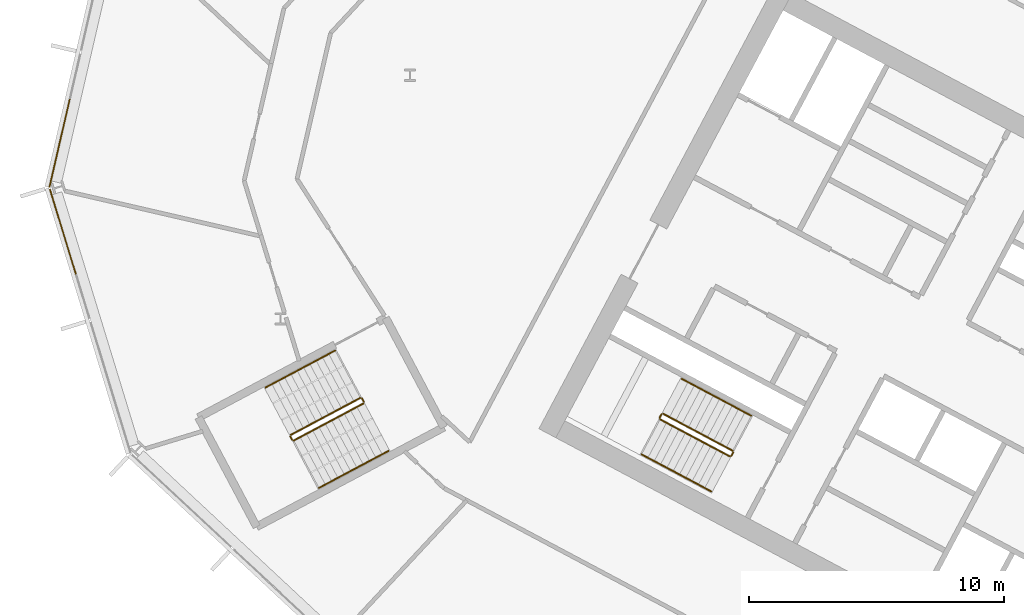
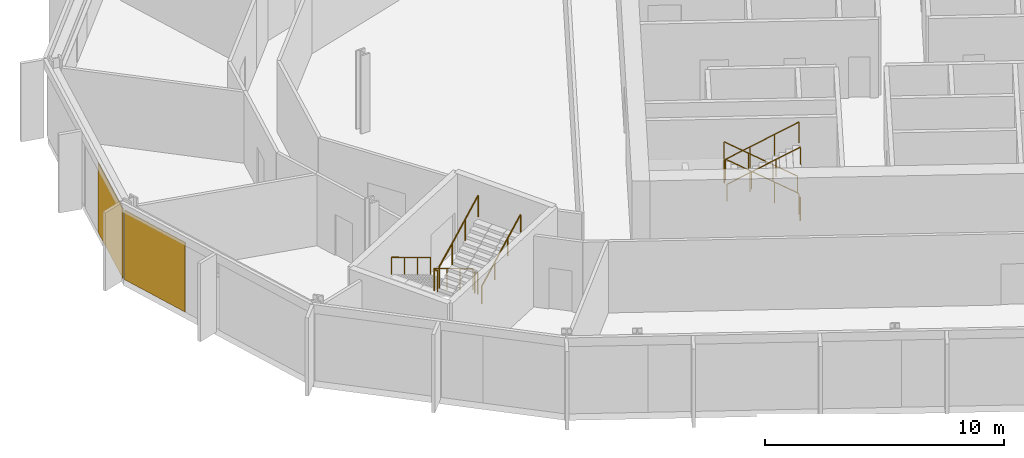
# One storey, part 21 of 28: 12 railings, 2 coverings, 2 elements without a shape of their own.
"""IFC4 building model written with IfcOpenShell, lengths in metres."""

from ifc_helpers import new_model, si_unit, direction, frame, origin, origin_2d, place, context, subcontext, project, spatial, polyline, rectangle, outline, extrude, material, layer, layer_set, type_object, element, aggregate, save


model = new_model("IFC4")

# Units and contexts
model_context = context("Model", 3, precision=1e-05, world=origin(), true_north=direction((0.0, 1.0)))
body_context = subcontext(model_context, "Body", "Model", "MODEL_VIEW")
ifc_project = project(units=[si_unit("LENGTHUNIT", "METRE"), si_unit("AREAUNIT", "SQUARE_METRE"), si_unit("VOLUMEUNIT", "CUBIC_METRE"), si_unit("PLANEANGLEUNIT", "RADIAN"), si_unit("MASSUNIT", "GRAM", prefix="KILO")], contexts=[model_context])

# Site, building, storey
site_placement = place(None, origin())
site = spatial("IfcSite", under=ifc_project, at=site_placement, CompositionType="ELEMENT")
building_placement = place(site_placement, origin())
building = spatial("IfcBuilding", under=site, at=building_placement, Name="Cormorant Relay Tower", CompositionType="ELEMENT")
storey_placement = place(building_placement, frame((0.0, 0.0, 166.199951171875)))
storey = spatial("IfcBuildingStorey", under=building, at=storey_placement, Name="L35", CompositionType="ELEMENT", Elevation=166.199951171875)

# Curtain wall, covering
ifc_material_1 = material(Name="Aluminium 6063-T6 anodised bronze", Category="aluminium")
ifc_layer_1 = layer(ifc_material_1, 0.199951171875)
ifc_layer_set_1 = layer_set([ifc_layer_1], Name="CW1 unitised bronze curtain wall with vertical fins")
curtain_wall_type = type_object("IfcCurtainWallType", Name="CW1 unitised bronze curtain wall with vertical fins", PredefinedType="NOTDEFINED", material=ifc_layer_set_1)
curtain_wall_1_placement = place(storey_placement, origin())
curtain_wall_1 = element("IfcCurtainWall", 1, at=curtain_wall_1_placement, inside=storey, type_object=curtain_wall_type, Name="CW1 curtain wall 13", PredefinedType="NOTDEFINED")
ifc_material_2 = material(Name="Pale bronze anodised aluminium insulated panel", Category="aluminium")
ifc_layer_2 = layer(ifc_material_2, 0.0400390625)
ifc_layer_set_2 = layer_set([ifc_layer_2], Name="CW1 pale bronze insulated panel 40")
covering_type = type_object("IfcCoveringType", Name="CW1 pale bronze insulated panel 40", PredefinedType="CLADDING", material=ifc_layer_set_2)
covering_1_placement = place(storey_placement, frame((-60.3388671875, 22.13232421875, 0.0), z_axis=(0.0, 0.0, 1.0), x_axis=(-0.224951054344, -0.974370064785, 0.0)))
covering_1 = element("IfcCovering", 2, at=covering_1_placement, type_object=covering_type, Name="CW1 panel S02", PredefinedType="CLADDING", context=body_context, shape_type="SweptSolid", body=[
    extrude(rectangle(XDim=3.560302734375, YDim=0.0400390625, at=origin_2d()), origin(), (0.0, 0.0, 1.0), 3.550048828125),
])
aggregate(curtain_wall_1, [covering_1])

curtain_wall_2_placement = place(storey_placement, origin())
curtain_wall_2 = element("IfcCurtainWall", 3, at=curtain_wall_2_placement, inside=storey, type_object=curtain_wall_type, Name="CW1 curtain wall 14", PredefinedType="NOTDEFINED")
covering_2_placement = place(storey_placement, frame((-60.20751953125, 18.6494140625, 0.0), z_axis=(0.0, 0.0, 1.0), x_axis=(0.292371704723, -0.956304755963, 0.0)))
covering_2 = element("IfcCovering", 4, at=covering_2_placement, type_object=covering_type, Name="CW1 panel S00", PredefinedType="CLADDING", context=body_context, shape_type="SweptSolid", body=[
    extrude(rectangle(XDim=3.485107421875, YDim=0.0400390625, at=origin_2d()), origin(), (0.0, 0.0, 1.0), 3.550048828125),
])
aggregate(curtain_wall_2, [covering_2])

# Railings
ifc_material_3 = material(Name="Steel ASTM A572 Grade 50 (Fy 345 MPa)", Category="steel")
railing_type_1 = type_object("IfcRailingType", Name="Stair guard 1100", PredefinedType="GUARDRAIL", material=ifc_material_3)
railing_1_placement = place(storey_placement, frame((-33.9921875, 10.08935546875, 0.166748046875)))
element("IfcRailing", 5, at=railing_1_placement, inside=storey, type_object=railing_type_1, Name="L35 A2 stair guard 1", PredefinedType="GUARDRAIL", context=body_context, shape_type="SweptSolid", body=[
    extrude(outline(polyline([(0.022216796875, 0.00927734375), (0.00927734375, 0.022216796875), (-0.00927734375, 0.022216796875), (-0.022216796875, 0.00927734375), (-0.022216796875, -0.00927734375), (-0.00927734375, -0.022216796875), (0.00927734375, -0.022216796875), (0.022216796875, -0.00927734375), (0.022216796875, 0.00927734375)])), frame((0.0, 0.0, 1.076171875), z_axis=(-0.758713656843, 0.403434867536, 0.511462505542), x_axis=(-0.469489399267, -0.882938108802, 0.0)), (0.0, 0.0, 1.0), 3.584228515625),
    extrude(outline(polyline([(0.019287109375, 0.008056640625), (0.008056640625, 0.019287109375), (-0.008056640625, 0.019287109375), (-0.019287109375, 0.008056640625), (-0.019287109375, -0.008056640625), (-0.008056640625, -0.019287109375), (0.008056640625, -0.019287109375), (0.019287109375, -0.008056640625), (0.019287109375, 0.008056640625)])), origin(), (0.0, 0.0, 1.0), 1.052001953125),
    extrude(outline(polyline([(0.019287109375, 0.008056640625), (0.008056640625, 0.019287109375), (-0.008056640625, 0.019287109375), (-0.019287109375, 0.008056640625), (-0.019287109375, -0.008056640625), (-0.008056640625, -0.019287109375), (0.008056640625, -0.019287109375), (0.019287109375, -0.008056640625), (0.019287109375, 0.008056640625)])), frame((-0.906494140625, 0.48193359375, 0.611083984375)), (0.0, 0.0, 1.0), 1.052001953125),
    extrude(outline(polyline([(0.019287109375, 0.008056640625), (0.008056640625, 0.019287109375), (-0.008056640625, 0.019287109375), (-0.019287109375, 0.008056640625), (-0.019287109375, -0.008056640625), (-0.008056640625, -0.019287109375), (0.008056640625, -0.019287109375), (0.019287109375, -0.008056640625), (0.019287109375, 0.008056640625)])), frame((-1.81298828125, 0.964111328125, 1.22216796875)), (0.0, 0.0, 1.0), 1.052001953125),
    extrude(outline(polyline([(0.019287109375, 0.008056640625), (0.008056640625, 0.019287109375), (-0.008056640625, 0.019287109375), (-0.019287109375, 0.008056640625), (-0.019287109375, -0.008056640625), (-0.008056640625, -0.019287109375), (0.008056640625, -0.019287109375), (0.019287109375, -0.008056640625), (0.019287109375, 0.008056640625)])), frame((-2.719482421875, 1.446044921875, 1.833251953125)), (0.0, 0.0, 1.0), 1.052001953125),
])
railing_2_placement = place(storey_placement, frame((-36.779296875, 11.5146484375, 2.0)))
element("IfcRailing", 6, at=railing_2_placement, inside=storey, type_object=railing_type_1, Name="L35 A2 stair guard 2", PredefinedType="GUARDRAIL", context=body_context, shape_type="SweptSolid", body=[
    extrude(outline(polyline([(0.022216796875, 0.00927734375), (0.00927734375, 0.022216796875), (-0.00927734375, 0.022216796875), (-0.022216796875, 0.00927734375), (-0.022216796875, -0.00927734375), (-0.00927734375, -0.022216796875), (0.00927734375, -0.022216796875), (0.022216796875, -0.00927734375), (0.022216796875, 0.00927734375)])), frame((0.0, 0.0, 1.076171875), z_axis=(-0.469234640946, -0.883073525669, 0.0), x_axis=(0.883073525669, -0.469234640946, 0.0)), (0.0, 0.0, 1.0), 0.14990234375),
    extrude(outline(polyline([(0.019287109375, 0.008056640625), (0.008056640625, 0.019287109375), (-0.008056640625, 0.019287109375), (-0.019287109375, 0.008056640625), (-0.019287109375, -0.008056640625), (-0.008056640625, -0.019287109375), (0.008056640625, -0.019287109375), (0.019287109375, -0.008056640625), (0.019287109375, 0.008056640625)])), origin(), (0.0, 0.0, 1.0), 1.052001953125),
    extrude(outline(polyline([(0.019287109375, 0.008056640625), (0.008056640625, 0.019287109375), (-0.008056640625, 0.019287109375), (-0.019287109375, 0.008056640625), (-0.019287109375, -0.008056640625), (-0.008056640625, -0.019287109375), (0.008056640625, -0.019287109375), (0.019287109375, -0.008056640625), (0.019287109375, 0.008056640625)])), frame((-0.0703125, -0.13232421875, 0.0)), (0.0, 0.0, 1.0), 1.052001953125),
])
railing_3_placement = place(storey_placement, frame((-36.8291015625, 11.314697265625, 2.166748046875)))
element("IfcRailing", 7, at=railing_3_placement, inside=storey, type_object=railing_type_1, Name="L35 A2 stair guard 3", PredefinedType="GUARDRAIL", context=body_context, shape_type="SweptSolid", body=[
    extrude(outline(polyline([(0.022216796875, 0.00927734375), (0.00927734375, 0.022216796875), (-0.00927734375, 0.022216796875), (-0.022216796875, 0.00927734375), (-0.022216796875, -0.00927734375), (-0.00927734375, -0.022216796875), (0.00927734375, -0.022216796875), (0.022216796875, -0.00927734375), (0.022216796875, 0.00927734375)])), frame((0.0, 0.0, 1.076171875), z_axis=(0.758713656843, -0.403434867536, 0.511462505542), x_axis=(0.469489399267, 0.882938108802, 0.0)), (0.0, 0.0, 1.0), 3.584228515625),
    extrude(outline(polyline([(0.019287109375, 0.008056640625), (0.008056640625, 0.019287109375), (-0.008056640625, 0.019287109375), (-0.019287109375, 0.008056640625), (-0.019287109375, -0.008056640625), (-0.008056640625, -0.019287109375), (0.008056640625, -0.019287109375), (0.019287109375, -0.008056640625), (0.019287109375, 0.008056640625)])), origin(), (0.0, 0.0, 1.0), 1.052001953125),
    extrude(outline(polyline([(0.019287109375, 0.008056640625), (0.008056640625, 0.019287109375), (-0.008056640625, 0.019287109375), (-0.019287109375, 0.008056640625), (-0.019287109375, -0.008056640625), (-0.008056640625, -0.019287109375), (0.008056640625, -0.019287109375), (0.019287109375, -0.008056640625), (0.019287109375, 0.008056640625)])), frame((0.906494140625, -0.48193359375, 0.611083984375)), (0.0, 0.0, 1.0), 1.052001953125),
    extrude(outline(polyline([(0.019287109375, 0.008056640625), (0.008056640625, 0.019287109375), (-0.008056640625, 0.019287109375), (-0.019287109375, 0.008056640625), (-0.019287109375, -0.008056640625), (-0.008056640625, -0.019287109375), (0.008056640625, -0.019287109375), (0.019287109375, -0.008056640625), (0.019287109375, 0.008056640625)])), frame((1.81298828125, -0.964111328125, 1.22216796875)), (0.0, 0.0, 1.0), 1.052001953125),
    extrude(outline(polyline([(0.019287109375, 0.008056640625), (0.008056640625, 0.019287109375), (-0.008056640625, 0.019287109375), (-0.019287109375, 0.008056640625), (-0.019287109375, -0.008056640625), (-0.008056640625, -0.019287109375), (0.008056640625, -0.019287109375), (0.019287109375, -0.008056640625), (0.019287109375, 0.008056640625)])), frame((2.719482421875, -1.446044921875, 1.833251953125)), (0.0, 0.0, 1.0), 1.052001953125),
])
railing_4_placement = place(storey_placement, frame((-33.971435546875, 10.021728515625, 0.0)))
element("IfcRailing", 8, at=railing_4_placement, inside=storey, type_object=railing_type_1, Name="L35 A2 stair guard 4", PredefinedType="GUARDRAIL", context=body_context, shape_type="SweptSolid", body=[
    extrude(outline(polyline([(0.022216796875, 0.00927734375), (0.00927734375, 0.022216796875), (-0.00927734375, 0.022216796875), (-0.022216796875, 0.00927734375), (-0.022216796875, -0.00927734375), (-0.00927734375, -0.022216796875), (0.00927734375, -0.022216796875), (0.022216796875, -0.00927734375), (0.022216796875, 0.00927734375)])), frame((0.0, 0.0, 1.076171875), z_axis=(-0.470503732759, -0.882398003998, 0.0), x_axis=(0.882398003998, -0.470503732759, 0.0)), (0.0, 0.0, 1.0), 0.14990234375),
    extrude(outline(polyline([(0.019287109375, 0.008056640625), (0.008056640625, 0.019287109375), (-0.008056640625, 0.019287109375), (-0.019287109375, 0.008056640625), (-0.019287109375, -0.008056640625), (-0.008056640625, -0.019287109375), (0.008056640625, -0.019287109375), (0.019287109375, -0.008056640625), (0.019287109375, 0.008056640625)])), origin(), (0.0, 0.0, 1.0), 1.052001953125),
    extrude(outline(polyline([(0.019287109375, 0.008056640625), (0.008056640625, 0.019287109375), (-0.008056640625, 0.019287109375), (-0.019287109375, 0.008056640625), (-0.019287109375, -0.008056640625), (-0.008056640625, -0.019287109375), (0.008056640625, -0.019287109375), (0.019287109375, -0.008056640625), (0.019287109375, 0.008056640625)])), frame((-0.070556640625, -0.13232421875, 0.0)), (0.0, 0.0, 1.0), 1.052001953125),
])
railing_5_placement = place(storey_placement, frame((-48.5693359375, 12.155517578125, 0.166748046875)))
element("IfcRailing", 9, at=railing_5_placement, inside=storey, type_object=railing_type_1, Name="L35 RP1 stair guard 1", PredefinedType="GUARDRAIL", context=body_context, shape_type="SweptSolid", body=[
    extrude(outline(polyline([(0.022216796875, 0.00927734375), (0.00927734375, 0.022216796875), (-0.00927734375, 0.022216796875), (-0.022216796875, 0.00927734375), (-0.022216796875, -0.00927734375), (-0.00927734375, -0.022216796875), (0.00927734375, -0.022216796875), (0.022216796875, -0.00927734375), (0.022216796875, 0.00927734375)])), frame((0.0, 0.0, 1.076171875), z_axis=(-0.758713656843, -0.403434867536, 0.511462505542), x_axis=(0.469489399267, -0.882938108802, 0.0)), (0.0, 0.0, 1.0), 3.584228515625),
    extrude(outline(polyline([(0.019287109375, 0.008056640625), (0.008056640625, 0.019287109375), (-0.008056640625, 0.019287109375), (-0.019287109375, 0.008056640625), (-0.019287109375, -0.008056640625), (-0.008056640625, -0.019287109375), (0.008056640625, -0.019287109375), (0.019287109375, -0.008056640625), (0.019287109375, 0.008056640625)])), origin(), (0.0, 0.0, 1.0), 1.052001953125),
    extrude(outline(polyline([(0.019287109375, 0.008056640625), (0.008056640625, 0.019287109375), (-0.008056640625, 0.019287109375), (-0.019287109375, 0.008056640625), (-0.019287109375, -0.008056640625), (-0.008056640625, -0.019287109375), (0.008056640625, -0.019287109375), (0.019287109375, -0.008056640625), (0.019287109375, 0.008056640625)])), frame((-0.906494140625, -0.48193359375, 0.611083984375)), (0.0, 0.0, 1.0), 1.052001953125),
    extrude(outline(polyline([(0.019287109375, 0.008056640625), (0.008056640625, 0.019287109375), (-0.008056640625, 0.019287109375), (-0.019287109375, 0.008056640625), (-0.019287109375, -0.008056640625), (-0.008056640625, -0.019287109375), (0.008056640625, -0.019287109375), (0.019287109375, -0.008056640625), (0.019287109375, 0.008056640625)])), frame((-1.81298828125, -0.964111328125, 1.22216796875)), (0.0, 0.0, 1.0), 1.052001953125),
    extrude(outline(polyline([(0.019287109375, 0.008056640625), (0.008056640625, 0.019287109375), (-0.008056640625, 0.019287109375), (-0.019287109375, 0.008056640625), (-0.019287109375, -0.008056640625), (-0.008056640625, -0.019287109375), (0.008056640625, -0.019287109375), (0.019287109375, -0.008056640625), (0.019287109375, 0.008056640625)])), frame((-2.719482421875, -1.446044921875, 1.833251953125)), (0.0, 0.0, 1.0), 1.052001953125),
])
railing_6_placement = place(storey_placement, frame((-51.3095703125, 10.641845703125, 2.0)))
element("IfcRailing", 10, at=railing_6_placement, inside=storey, type_object=railing_type_1, Name="L35 RP1 stair guard 2", PredefinedType="GUARDRAIL", context=body_context, shape_type="SweptSolid", body=[
    extrude(outline(polyline([(0.022216796875, 0.00927734375), (0.00927734375, 0.022216796875), (-0.00927734375, 0.022216796875), (-0.022216796875, 0.00927734375), (-0.022216796875, -0.00927734375), (-0.00927734375, -0.022216796875), (0.00927734375, -0.022216796875), (0.022216796875, -0.00927734375), (0.022216796875, 0.00927734375)])), frame((0.0, 0.0, 1.076171875), z_axis=(0.469828648786, -0.882757634224, 0.0), x_axis=(0.882757634224, 0.469828648786, 0.0)), (0.0, 0.0, 1.0), 0.150146484375),
    extrude(outline(polyline([(0.019287109375, 0.008056640625), (0.008056640625, 0.019287109375), (-0.008056640625, 0.019287109375), (-0.019287109375, 0.008056640625), (-0.019287109375, -0.008056640625), (-0.008056640625, -0.019287109375), (0.008056640625, -0.019287109375), (0.019287109375, -0.008056640625), (0.019287109375, 0.008056640625)])), origin(), (0.0, 0.0, 1.0), 1.052001953125),
    extrude(outline(polyline([(0.019287109375, 0.008056640625), (0.008056640625, 0.019287109375), (-0.008056640625, 0.019287109375), (-0.019287109375, 0.008056640625), (-0.019287109375, -0.008056640625), (-0.008056640625, -0.019287109375), (0.008056640625, -0.019287109375), (0.019287109375, -0.008056640625), (0.019287109375, 0.008056640625)])), frame((0.070556640625, -0.132568359375, 0.0)), (0.0, 0.0, 1.0), 1.052001953125),
])
railing_7_placement = place(storey_placement, frame((-51.17138671875, 10.48876953125, 2.166748046875)))
element("IfcRailing", 11, at=railing_7_placement, inside=storey, type_object=railing_type_1, Name="L35 RP1 stair guard 3", PredefinedType="GUARDRAIL", context=body_context, shape_type="SweptSolid", body=[
    extrude(outline(polyline([(0.022216796875, 0.00927734375), (0.00927734375, 0.022216796875), (-0.00927734375, 0.022216796875), (-0.022216796875, 0.00927734375), (-0.022216796875, -0.00927734375), (-0.00927734375, -0.022216796875), (0.00927734375, -0.022216796875), (0.022216796875, -0.00927734375), (0.022216796875, 0.00927734375)])), frame((0.0, 0.0, 1.076171875), z_axis=(0.758734504837, 0.403377838015, 0.511476559549), x_axis=(-0.469427602063, 0.882970965786, 0.0)), (0.0, 0.0, 1.0), 3.584228515625),
    extrude(outline(polyline([(0.019287109375, 0.008056640625), (0.008056640625, 0.019287109375), (-0.008056640625, 0.019287109375), (-0.019287109375, 0.008056640625), (-0.019287109375, -0.008056640625), (-0.008056640625, -0.019287109375), (0.008056640625, -0.019287109375), (0.019287109375, -0.008056640625), (0.019287109375, 0.008056640625)])), origin(), (0.0, 0.0, 1.0), 1.052001953125),
    extrude(outline(polyline([(0.019287109375, 0.008056640625), (0.008056640625, 0.019287109375), (-0.008056640625, 0.019287109375), (-0.019287109375, 0.008056640625), (-0.019287109375, -0.008056640625), (-0.008056640625, -0.019287109375), (0.008056640625, -0.019287109375), (0.019287109375, -0.008056640625), (0.019287109375, 0.008056640625)])), frame((0.906494140625, 0.48193359375, 0.611083984375)), (0.0, 0.0, 1.0), 1.052001953125),
    extrude(outline(polyline([(0.019287109375, 0.008056640625), (0.008056640625, 0.019287109375), (-0.008056640625, 0.019287109375), (-0.019287109375, 0.008056640625), (-0.019287109375, -0.008056640625), (-0.008056640625, -0.019287109375), (0.008056640625, -0.019287109375), (0.019287109375, -0.008056640625), (0.019287109375, 0.008056640625)])), frame((1.81298828125, 0.9638671875, 1.22216796875)), (0.0, 0.0, 1.0), 1.052001953125),
    extrude(outline(polyline([(0.019287109375, 0.008056640625), (0.008056640625, 0.019287109375), (-0.008056640625, 0.019287109375), (-0.019287109375, 0.008056640625), (-0.019287109375, -0.008056640625), (-0.008056640625, -0.019287109375), (0.008056640625, -0.019287109375), (0.019287109375, -0.008056640625), (0.019287109375, 0.008056640625)])), frame((2.719482421875, 1.44580078125, 1.833251953125)), (0.0, 0.0, 1.0), 1.052001953125),
])
railing_8_placement = place(storey_placement, frame((-48.501708984375, 12.134765625, 0.0)))
element("IfcRailing", 12, at=railing_8_placement, inside=storey, type_object=railing_type_1, Name="L35 RP1 stair guard 4", PredefinedType="GUARDRAIL", context=body_context, shape_type="SweptSolid", body=[
    extrude(outline(polyline([(0.022216796875, 0.00927734375), (0.00927734375, 0.022216796875), (-0.00927734375, 0.022216796875), (-0.022216796875, 0.00927734375), (-0.022216796875, -0.00927734375), (-0.00927734375, -0.022216796875), (0.00927734375, -0.022216796875), (0.022216796875, -0.00927734375), (0.022216796875, 0.00927734375)])), frame((0.0, 0.0, 1.076171875), z_axis=(0.46856034887, -0.8834314911, 0.0), x_axis=(0.8834314911, 0.46856034887, 0.0)), (0.0, 0.0, 1.0), 0.150146484375),
    extrude(outline(polyline([(0.019287109375, 0.008056640625), (0.008056640625, 0.019287109375), (-0.008056640625, 0.019287109375), (-0.019287109375, 0.008056640625), (-0.019287109375, -0.008056640625), (-0.008056640625, -0.019287109375), (0.008056640625, -0.019287109375), (0.019287109375, -0.008056640625), (0.019287109375, 0.008056640625)])), origin(), (0.0, 0.0, 1.0), 1.052001953125),
    extrude(outline(polyline([(0.019287109375, 0.008056640625), (0.008056640625, 0.019287109375), (-0.008056640625, 0.019287109375), (-0.019287109375, 0.008056640625), (-0.019287109375, -0.008056640625), (-0.008056640625, -0.019287109375), (0.008056640625, -0.019287109375), (0.019287109375, -0.008056640625), (0.019287109375, 0.008056640625)])), frame((0.0703125, -0.132568359375, 0.0)), (0.0, 0.0, 1.0), 1.052001953125),
])
ifc_material_4 = material(Name="Steel ASTM A572 Grade 50 (Fy 345 MPa)", Category="steel")
railing_type_2 = type_object("IfcRailingType", Name="Stair handrail 900", PredefinedType="HANDRAIL", material=ifc_material_4)
railing_9_placement = place(storey_placement, frame((-33.264404296875, 11.4580078125, 0.166748046875)))
element("IfcRailing", 13, at=railing_9_placement, inside=storey, type_object=railing_type_2, Name="L35 A2 stair handrail 1", PredefinedType="HANDRAIL", context=body_context, shape_type="SweptSolid", body=[
    extrude(outline(polyline([(0.022216796875, 0.00927734375), (0.00927734375, 0.022216796875), (-0.00927734375, 0.022216796875), (-0.022216796875, 0.00927734375), (-0.022216796875, -0.00927734375), (-0.00927734375, -0.022216796875), (0.00927734375, -0.022216796875), (0.022216796875, -0.00927734375), (0.022216796875, 0.00927734375)])), frame((0.0, 0.0, 0.8759765625), z_axis=(-0.758734504837, 0.403377838015, 0.511476559549), x_axis=(-0.469427602063, -0.882970965786, 0.0)), (0.0, 0.0, 1.0), 3.584228515625),
    extrude(outline(polyline([(0.019287109375, 0.008056640625), (0.008056640625, 0.019287109375), (-0.008056640625, 0.019287109375), (-0.019287109375, 0.008056640625), (-0.019287109375, -0.008056640625), (-0.008056640625, -0.019287109375), (0.008056640625, -0.019287109375), (0.019287109375, -0.008056640625), (0.019287109375, 0.008056640625)])), origin(), (0.0, 0.0, 1.0), 0.851806640625),
    extrude(outline(polyline([(0.019287109375, 0.008056640625), (0.008056640625, 0.019287109375), (-0.008056640625, 0.019287109375), (-0.019287109375, 0.008056640625), (-0.019287109375, -0.008056640625), (-0.008056640625, -0.019287109375), (0.008056640625, -0.019287109375), (0.019287109375, -0.008056640625), (0.019287109375, 0.008056640625)])), frame((-0.906494140625, 0.48193359375, 0.611083984375)), (0.0, 0.0, 1.0), 0.851806640625),
    extrude(outline(polyline([(0.019287109375, 0.008056640625), (0.008056640625, 0.019287109375), (-0.008056640625, 0.019287109375), (-0.019287109375, 0.008056640625), (-0.019287109375, -0.008056640625), (-0.008056640625, -0.019287109375), (0.008056640625, -0.019287109375), (0.019287109375, -0.008056640625), (0.019287109375, 0.008056640625)])), frame((-1.81298828125, 0.9638671875, 1.22216796875)), (0.0, 0.0, 1.0), 0.851806640625),
    extrude(outline(polyline([(0.019287109375, 0.008056640625), (0.008056640625, 0.019287109375), (-0.008056640625, 0.019287109375), (-0.019287109375, 0.008056640625), (-0.019287109375, -0.008056640625), (-0.008056640625, -0.019287109375), (0.008056640625, -0.019287109375), (0.019287109375, -0.008056640625), (0.019287109375, 0.008056640625)])), frame((-2.719482421875, 1.44580078125, 1.833251953125)), (0.0, 0.0, 1.0), 0.851806640625),
])
railing_10_placement = place(storey_placement, frame((-37.556640625, 9.946044921875, 2.166748046875)))
element("IfcRailing", 14, at=railing_10_placement, inside=storey, type_object=railing_type_2, Name="L35 A2 stair handrail 2", PredefinedType="HANDRAIL", context=body_context, shape_type="SweptSolid", body=[
    extrude(outline(polyline([(0.022216796875, 0.00927734375), (0.00927734375, 0.022216796875), (-0.00927734375, 0.022216796875), (-0.022216796875, 0.00927734375), (-0.022216796875, -0.00927734375), (-0.00927734375, -0.022216796875), (0.00927734375, -0.022216796875), (0.022216796875, -0.00927734375), (0.022216796875, 0.00927734375)])), frame((0.0, 0.0, 0.8759765625), z_axis=(0.758713656843, -0.403434867536, 0.511462505542), x_axis=(0.469489399267, 0.882938108802, 0.0)), (0.0, 0.0, 1.0), 3.584228515625),
    extrude(outline(polyline([(0.019287109375, 0.008056640625), (0.008056640625, 0.019287109375), (-0.008056640625, 0.019287109375), (-0.019287109375, 0.008056640625), (-0.019287109375, -0.008056640625), (-0.008056640625, -0.019287109375), (0.008056640625, -0.019287109375), (0.019287109375, -0.008056640625), (0.019287109375, 0.008056640625)])), origin(), (0.0, 0.0, 1.0), 0.851806640625),
    extrude(outline(polyline([(0.019287109375, 0.008056640625), (0.008056640625, 0.019287109375), (-0.008056640625, 0.019287109375), (-0.019287109375, 0.008056640625), (-0.019287109375, -0.008056640625), (-0.008056640625, -0.019287109375), (0.008056640625, -0.019287109375), (0.019287109375, -0.008056640625), (0.019287109375, 0.008056640625)])), frame((0.906494140625, -0.48193359375, 0.611083984375)), (0.0, 0.0, 1.0), 0.851806640625),
    extrude(outline(polyline([(0.019287109375, 0.008056640625), (0.008056640625, 0.019287109375), (-0.008056640625, 0.019287109375), (-0.019287109375, 0.008056640625), (-0.019287109375, -0.008056640625), (-0.008056640625, -0.019287109375), (0.008056640625, -0.019287109375), (0.019287109375, -0.008056640625), (0.019287109375, 0.008056640625)])), frame((1.81298828125, -0.964111328125, 1.22216796875)), (0.0, 0.0, 1.0), 0.851806640625),
    extrude(outline(polyline([(0.019287109375, 0.008056640625), (0.008056640625, 0.019287109375), (-0.008056640625, 0.019287109375), (-0.019287109375, 0.008056640625), (-0.019287109375, -0.008056640625), (-0.008056640625, -0.019287109375), (0.008056640625, -0.019287109375), (0.019287109375, -0.008056640625), (0.019287109375, 0.008056640625)])), frame((2.719482421875, -1.446044921875, 1.833251953125)), (0.0, 0.0, 1.0), 0.851806640625),
])
railing_11_placement = place(storey_placement, frame((-49.55517578125, 14.009521484375, 0.166748046875)))
element("IfcRailing", 15, at=railing_11_placement, inside=storey, type_object=railing_type_2, Name="L35 RP1 stair handrail 1", PredefinedType="HANDRAIL", context=body_context, shape_type="SweptSolid", body=[
    extrude(outline(polyline([(0.022216796875, 0.00927734375), (0.00927734375, 0.022216796875), (-0.00927734375, 0.022216796875), (-0.022216796875, 0.00927734375), (-0.022216796875, -0.00927734375), (-0.00927734375, -0.022216796875), (0.00927734375, -0.022216796875), (0.022216796875, -0.00927734375), (0.022216796875, 0.00927734375)])), frame((0.0, 0.0, 0.8759765625), z_axis=(-0.758734504837, -0.403377838015, 0.511476559549), x_axis=(0.469427602063, -0.882970965786, 0.0)), (0.0, 0.0, 1.0), 3.584228515625),
    extrude(outline(polyline([(0.019287109375, 0.008056640625), (0.008056640625, 0.019287109375), (-0.008056640625, 0.019287109375), (-0.019287109375, 0.008056640625), (-0.019287109375, -0.008056640625), (-0.008056640625, -0.019287109375), (0.008056640625, -0.019287109375), (0.019287109375, -0.008056640625), (0.019287109375, 0.008056640625)])), origin(), (0.0, 0.0, 1.0), 0.851806640625),
    extrude(outline(polyline([(0.019287109375, 0.008056640625), (0.008056640625, 0.019287109375), (-0.008056640625, 0.019287109375), (-0.019287109375, 0.008056640625), (-0.019287109375, -0.008056640625), (-0.008056640625, -0.019287109375), (0.008056640625, -0.019287109375), (0.019287109375, -0.008056640625), (0.019287109375, 0.008056640625)])), frame((-0.906494140625, -0.48193359375, 0.611083984375)), (0.0, 0.0, 1.0), 0.851806640625),
    extrude(outline(polyline([(0.019287109375, 0.008056640625), (0.008056640625, 0.019287109375), (-0.008056640625, 0.019287109375), (-0.019287109375, 0.008056640625), (-0.019287109375, -0.008056640625), (-0.008056640625, -0.019287109375), (0.008056640625, -0.019287109375), (0.019287109375, -0.008056640625), (0.019287109375, 0.008056640625)])), frame((-1.81298828125, -0.9638671875, 1.22216796875)), (0.0, 0.0, 1.0), 0.851806640625),
    extrude(outline(polyline([(0.019287109375, 0.008056640625), (0.008056640625, 0.019287109375), (-0.008056640625, 0.019287109375), (-0.019287109375, 0.008056640625), (-0.019287109375, -0.008056640625), (-0.008056640625, -0.019287109375), (0.008056640625, -0.019287109375), (0.019287109375, -0.008056640625), (0.019287109375, 0.008056640625)])), frame((-2.719482421875, -1.44580078125, 1.833251953125)), (0.0, 0.0, 1.0), 0.851806640625),
])
railing_12_placement = place(storey_placement, frame((-50.185546875, 8.634521484375, 2.166748046875)))
element("IfcRailing", 16, at=railing_12_placement, inside=storey, type_object=railing_type_2, Name="L35 RP1 stair handrail 2", PredefinedType="HANDRAIL", context=body_context, shape_type="SweptSolid", body=[
    extrude(outline(polyline([(0.022216796875, 0.00927734375), (0.00927734375, 0.022216796875), (-0.00927734375, 0.022216796875), (-0.022216796875, 0.00927734375), (-0.022216796875, -0.00927734375), (-0.00927734375, -0.022216796875), (0.00927734375, -0.022216796875), (0.022216796875, -0.00927734375), (0.022216796875, 0.00927734375)])), frame((0.0, 0.0, 0.8759765625), z_axis=(0.758713656843, 0.403434867536, 0.511462505542), x_axis=(-0.469489399267, 0.882938108802, 0.0)), (0.0, 0.0, 1.0), 3.584228515625),
    extrude(outline(polyline([(0.019287109375, 0.008056640625), (0.008056640625, 0.019287109375), (-0.008056640625, 0.019287109375), (-0.019287109375, 0.008056640625), (-0.019287109375, -0.008056640625), (-0.008056640625, -0.019287109375), (0.008056640625, -0.019287109375), (0.019287109375, -0.008056640625), (0.019287109375, 0.008056640625)])), origin(), (0.0, 0.0, 1.0), 0.851806640625),
    extrude(outline(polyline([(0.019287109375, 0.008056640625), (0.008056640625, 0.019287109375), (-0.008056640625, 0.019287109375), (-0.019287109375, 0.008056640625), (-0.019287109375, -0.008056640625), (-0.008056640625, -0.019287109375), (0.008056640625, -0.019287109375), (0.019287109375, -0.008056640625), (0.019287109375, 0.008056640625)])), frame((0.906494140625, 0.48193359375, 0.611083984375)), (0.0, 0.0, 1.0), 0.851806640625),
    extrude(outline(polyline([(0.019287109375, 0.008056640625), (0.008056640625, 0.019287109375), (-0.008056640625, 0.019287109375), (-0.019287109375, 0.008056640625), (-0.019287109375, -0.008056640625), (-0.008056640625, -0.019287109375), (0.008056640625, -0.019287109375), (0.019287109375, -0.008056640625), (0.019287109375, 0.008056640625)])), frame((1.81298828125, 0.964111328125, 1.22216796875)), (0.0, 0.0, 1.0), 0.851806640625),
    extrude(outline(polyline([(0.019287109375, 0.008056640625), (0.008056640625, 0.019287109375), (-0.008056640625, 0.019287109375), (-0.019287109375, 0.008056640625), (-0.019287109375, -0.008056640625), (-0.008056640625, -0.019287109375), (0.008056640625, -0.019287109375), (0.019287109375, -0.008056640625), (0.019287109375, 0.008056640625)])), frame((2.719482421875, 1.446044921875, 1.833251953125)), (0.0, 0.0, 1.0), 0.851806640625),
])

save(model, "model.ifc")
